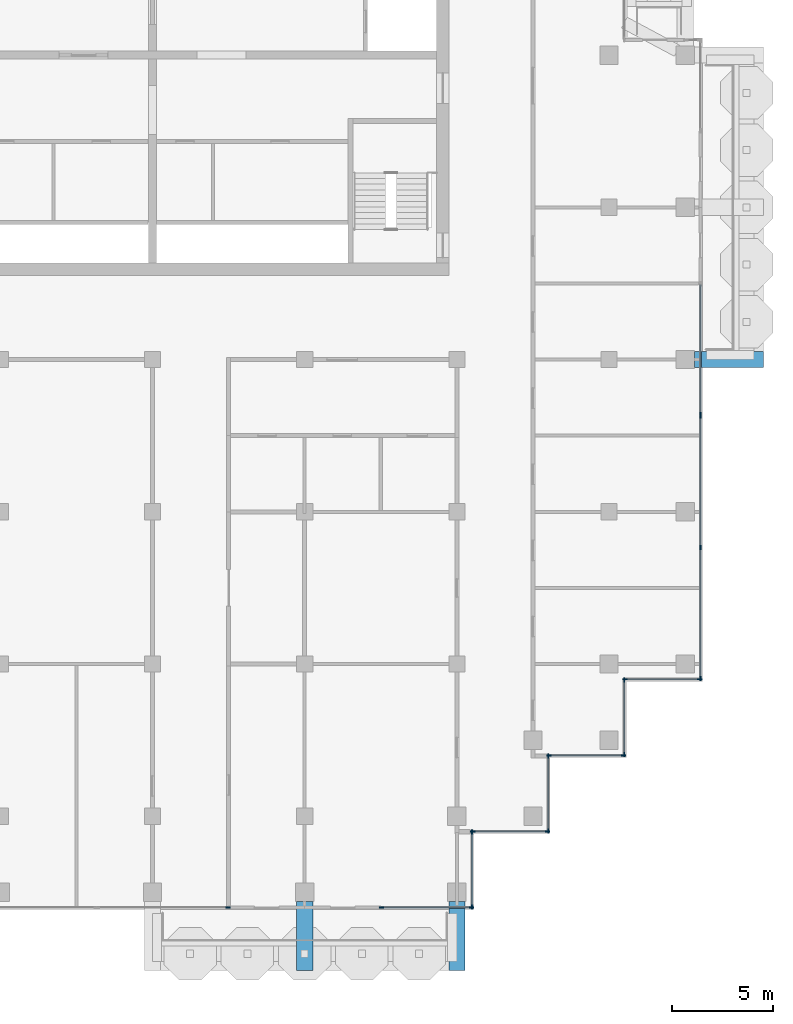
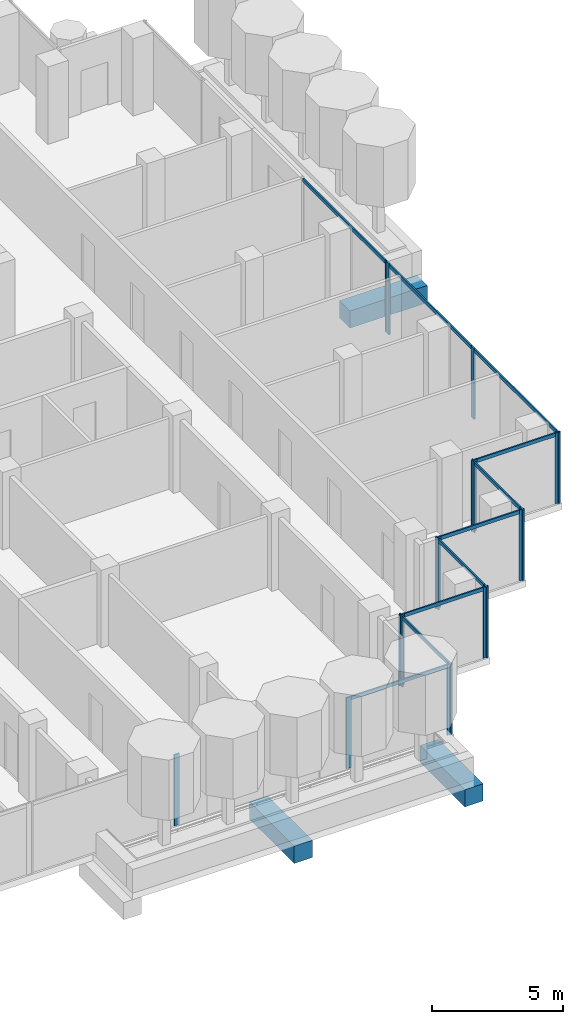
# One storey, part 4 of 19: 29 members, 3 beams, 10 elements without a shape of their own.
"""IFC4 building model written with IfcOpenShell, lengths in metres."""

import ifcopenshell
import ifcopenshell.guid

model = None  # the IFC model being written
_history = None  # IfcOwnerHistory: only IFC2X3 demands one
_inside = {}  # id of a spatial element -> (the spatial element, [elements in it])
_under = {}  # id of a project, library or spatial element -> (it, [spatial elements below it])
_declared = {}  # id of a project -> (the project, [libraries it declares])
_typed = {}  # id of a type object -> (the type object, [elements of that type])
_made_of = {}  # id of a material, layer set ... -> (it, [elements and type objects made of it])


def new_model(schema):
    """Start an empty IFC model of exactly this schema.

    Asked for "IFC4X3", IfcOpenShell would pick the latest addendum, in which some entities
    have other attributes; the version numbers below select the first issue.
    IFC2X3 requires an IfcOwnerHistory on every rooted entity: one is made here for all.
    """
    global model, _history
    if schema == "IFC4X3":
        model = ifcopenshell.file(schema_version=(4, 3, 0, 0))
    else:
        model = ifcopenshell.file(schema=schema)
    _inside.clear()
    _under.clear()
    _declared.clear()
    _typed.clear()
    _made_of.clear()
    _history = None
    if model.schema == "IFC2X3":
        org = make("IfcOrganization", Name="unknown")
        user = make(
            "IfcPersonAndOrganization",
            ThePerson=make("IfcPerson", FamilyName="unknown"),
            TheOrganization=org,
        )
        app = make(
            "IfcApplication",
            ApplicationDeveloper=org,
            Version="unknown",
            ApplicationFullName="unknown",
            ApplicationIdentifier="unknown",
        )
        _history = make(
            "IfcOwnerHistory",
            OwningUser=user,
            OwningApplication=app,
            ChangeAction="ADDED",
            CreationDate=0,
        )
    return model


def make(cls, **values):
    """One entity of the class cls with the attributes given. An attribute that is None is left unset."""
    return model.create_entity(
        cls, **{name: value for name, value in values.items() if value is not None}
    )


def rooted(cls, **values):
    """An entity with a GlobalId (a new one), such as an element, a storey or a relation."""
    return make(cls, GlobalId=ifcopenshell.guid.new(), OwnerHistory=_history, **values)


def si_unit(unit_type, name, prefix=None):
    """IfcSIUnit, for example si_unit("LENGTHUNIT", "METRE", prefix="MILLI")."""
    return make("IfcSIUnit", UnitType=unit_type, Prefix=prefix, Name=name)


def assignment(units):
    """IfcUnitAssignment: the units of a project."""
    return None if units is None else make("IfcUnitAssignment", Units=units)


def point(xyz):
    """IfcCartesianPoint."""
    return None if xyz is None else make("IfcCartesianPoint", Coordinates=xyz)


def direction(xyz):
    """IfcDirection."""
    return None if xyz is None else make("IfcDirection", DirectionRatios=xyz)


def frame(location, z_axis=None, x_axis=None):
    """IfcAxis2Placement3D, a coordinate frame: its origin and axes. An axis left out is left unset."""
    return make(
        "IfcAxis2Placement3D",
        Location=point(location),
        Axis=direction(z_axis),
        RefDirection=direction(x_axis),
    )


def frame_2d(location, x_axis=None):
    """IfcAxis2Placement2D, a coordinate frame in the plane: its origin and x axis."""
    return make(
        "IfcAxis2Placement2D", Location=point(location), RefDirection=direction(x_axis)
    )


def origin():
    """The frame at (0, 0, 0) with its axes left unset."""
    return frame((0.0, 0.0, 0.0))


def origin_2d():
    """The frame at (0, 0) in the plane with its x axis left unset."""
    return frame_2d((0.0, 0.0))


def place(relative_to, where):
    """IfcLocalPlacement: puts the frame where relative to a parent placement (None: the world)."""
    return make(
        "IfcLocalPlacement", PlacementRelTo=relative_to, RelativePlacement=where
    )


def context(
    kind, dimensions, precision=None, world=None, true_north=None, identifier=None
):
    """IfcGeometricRepresentationContext, for example the 3D "Model" context."""
    return make(
        "IfcGeometricRepresentationContext",
        ContextIdentifier=identifier,
        ContextType=kind,
        CoordinateSpaceDimension=dimensions,
        Precision=precision,
        WorldCoordinateSystem=world,
        TrueNorth=true_north,
    )


def subcontext(parent, identifier, kind, view, scale=None):
    """IfcGeometricRepresentationSubContext, for example "Body" below "Model"."""
    return make(
        "IfcGeometricRepresentationSubContext",
        ContextIdentifier=identifier,
        ContextType=kind,
        ParentContext=parent,
        TargetScale=scale,
        TargetView=view,
    )


def project(units=None, contexts=None):
    """IfcProject with its units and contexts."""
    return rooted(
        "IfcProject",
        Name="project",
        RepresentationContexts=contexts,
        UnitsInContext=assignment(units),
    )


def spatial(cls, under=None, at=None, **own):
    """A site, building, storey or space (cls), placed at a placement, below another one or the project."""
    s = rooted(cls, ObjectPlacement=at, **own)
    if under is not None:
        _under.setdefault(under.id(), (under, []))[1].append(s)
    return s


def profile(cls, at=None, kind="AREA", **sizes):
    """A parametric profile (cls). Its sizes go by their IFC names, for example OverallWidth=200.0."""
    return make(cls, ProfileType=kind, Position=at, **sizes)


def rectangle(**sizes):
    """IfcRectangleProfileDef."""
    return profile("IfcRectangleProfileDef", **sizes)


def extrude(swept, where, along, depth):
    """IfcExtrudedAreaSolid: the profile swept, set in the frame where, extruded along a direction by depth."""
    return make(
        "IfcExtrudedAreaSolid",
        SweptArea=swept,
        Position=where,
        ExtrudedDirection=direction(along),
        Depth=depth,
    )


def shape(context_of_items, identifier, shape_type, items):
    """IfcShapeRepresentation: the items that make up one representation, for example the "Body"."""
    return make(
        "IfcShapeRepresentation",
        ContextOfItems=context_of_items,
        RepresentationIdentifier=identifier,
        RepresentationType=shape_type,
        Items=items,
    )


def material(Name=None, Category=None):
    """IfcMaterial."""
    return make("IfcMaterial", Name=Name, Category=Category)


def material_profile(
    of_material, cross_section, Name=None, Category=None, Priority=None
):
    """IfcMaterialProfile: a cross section and its material."""
    return make(
        "IfcMaterialProfile",
        Name=Name,
        Material=of_material,
        Profile=cross_section,
        Priority=Priority,
        Category=Category,
    )


def profile_set(profiles, Name=None, composite=None):
    """IfcMaterialProfileSet."""
    return make(
        "IfcMaterialProfileSet",
        Name=Name,
        MaterialProfiles=profiles,
        CompositeProfile=composite,
    )


def made_of(thing, what):
    """Note that an element or type object is made of a material, layer set ...; save() writes the relation."""
    if what is not None:
        _made_of.setdefault(what.id(), (what, []))[1].append(thing)
    return thing


def type_object(cls, material=None, **own):
    """A type object (cls), such as IfcWallType, which elements share."""
    return made_of(rooted(cls, **own), material)


def element(
    cls,
    number,
    at=None,
    inside=None,
    cuts=None,
    type_object=None,
    material=None,
    context=None,
    identifier="Body",
    shape_type=None,
    held_by="IfcProductDefinitionShape",
    body=None,
    shapes=None,
    **own,
):
    """One element of the class cls, such as IfcWall. Its Tag is "e" and its number.

    at: its placement. inside: the storey or other place that contains it. cuts: it is an
    opening in that element (IfcRelVoidsElement). A single representation is given by context,
    identifier, shape_type and body (its items); several are given by shapes. held_by: the class
    of the entity that holds the representations. save() writes the other relations.
    """
    e = rooted(cls, Tag="e%d" % number, ObjectPlacement=at, **own)
    if body is not None:
        shapes = [shape(context, identifier, shape_type, body)]
    if shapes is not None:
        e.Representation = make(held_by, Representations=shapes)
    if inside is not None:
        _inside.setdefault(inside.id(), (inside, []))[1].append(e)
    if cuts is not None:
        rooted(
            "IfcRelVoidsElement", RelatingBuildingElement=cuts, RelatedOpeningElement=e
        )
    if type_object is not None:
        _typed.setdefault(type_object.id(), (type_object, []))[1].append(e)
    return made_of(e, material)


def aggregate(whole, parts):
    """IfcRelAggregates: a whole, such as a stair, and the parts it consists of."""
    return rooted("IfcRelAggregates", RelatingObject=whole, RelatedObjects=parts)


def save(model, path):
    """Write the relations noted so far, then the file.

    IfcRelAggregates (storeys below a building ...), IfcRelContainedInSpatialStructure (elements
    in a storey), IfcRelDefinesByType, IfcRelAssociatesMaterial and IfcRelDeclares: one each for
    every whole, place, type object, material and project.
    """
    for whole, parts in _under.values():
        aggregate(whole, parts)
    for where, things in _inside.values():
        rooted(
            "IfcRelContainedInSpatialStructure",
            RelatedElements=things,
            RelatingStructure=where,
        )
    for kind, things in _typed.values():
        rooted("IfcRelDefinesByType", RelatedObjects=things, RelatingType=kind)
    for what, things in _made_of.values():
        rooted("IfcRelAssociatesMaterial", RelatedObjects=things, RelatingMaterial=what)
    for by, libraries in _declared.values():
        rooted("IfcRelDeclares", RelatingContext=by, RelatedDefinitions=libraries)
    model.write(path)


model = new_model("IFC4")

# Units and contexts
model_context = context("Model", 3, precision=1e-05, world=origin(), true_north=direction((0.0, 1.0)))
body_context = subcontext(model_context, "Body", "Model", "MODEL_VIEW")
ifc_project = project(units=[si_unit("LENGTHUNIT", "METRE"), si_unit("AREAUNIT", "SQUARE_METRE"), si_unit("VOLUMEUNIT", "CUBIC_METRE"), si_unit("PLANEANGLEUNIT", "RADIAN"), si_unit("MASSUNIT", "GRAM", prefix="KILO")], contexts=[model_context])

# Site, building, storey
site_placement = place(None, origin())
site = spatial("IfcSite", under=ifc_project, at=site_placement, CompositionType="ELEMENT")
building_placement = place(site_placement, origin())
building = spatial("IfcBuilding", under=site, at=building_placement, Name="Pilkhan Gate Tower", CompositionType="ELEMENT")
storey_placement = place(building_placement, frame((0.0, 0.0, 239.10009765625)))
storey = spatial("IfcBuildingStorey", under=building, at=storey_placement, Name="L62", CompositionType="ELEMENT", Elevation=239.10009765625)

# Beams
ifc_material_1 = material(Name="Concrete C50/60", Category="concrete")
ifc_material_profile_1 = material_profile(ifc_material_1, rectangle(XDim=0.800048828125, YDim=0.800048828125, at=origin_2d()), Name="RC 800x800")
ifc_profile_set_1 = profile_set([ifc_material_profile_1], Name="Concrete C50/60")
beam_type = type_object("IfcBeamType", Name="Cantilever beam CB2 RC 800x800 C50/60", PredefinedType="BEAM", material=ifc_profile_set_1)
for number, where, z_axis, x_axis, name in (
    (1, (82.5, 40.800048828125, -0.7001953125), (0.0, -1.0, 0.0), (1.0, 0.0, 0.0), "Balcony beam S.2 L62"),
    (2, (90.0, 40.800048828125, -0.7001953125), (0.0, -1.0, 0.0), (1.0, 0.0, 0.0), "Balcony beam S.3 L62"),
    (3, (101.699951171875, 67.5, -0.7001953125), (1.0, 0.0, 0.0), (0.0, 1.0, 0.0), "Balcony beam E.1 L62"),
):
    element("IfcBeam", number, at=place(storey_placement, frame(where, z_axis=z_axis, x_axis=x_axis)), inside=storey, type_object=beam_type, Name=name, PredefinedType="BEAM", context=body_context, shape_type="SweptSolid", body=[
        extrude(rectangle(XDim=0.800048828125, YDim=0.800048828125, at=origin_2d()), origin(), (0.0, 0.0, 1.0), 3.400146484375),
    ])

# Curtain wall, members
ifc_material_2 = material(Name="Pale anodised aluminium, clear low-iron double glazing", Category="aluminium")
curtain_wall_type = type_object("IfcCurtainWallType", Name="Office unitised curtain wall CW-O2", PredefinedType="USERDEFINED", material=ifc_material_2)
curtain_wall_1_placement = place(storey_placement, origin())
curtain_wall_1 = element("IfcCurtainWall", 4, at=curtain_wall_1_placement, inside=storey, type_object=curtain_wall_type, Name="Office unitised curtain wall CW-O2 L62 E", ObjectType="UNITISED CURTAIN WALL", PredefinedType="USERDEFINED")
ifc_material_3 = material(Name="Pale anodised aluminium", Category="aluminium")
ifc_material_profile_2 = material_profile(ifc_material_3, rectangle(XDim=0.06494140625, YDim=0.22509765625, at=origin_2d()), Name="Mullion 225x65")
ifc_profile_set_2 = profile_set([ifc_material_profile_2], Name="Pale anodised aluminium")
member_type_1 = type_object("IfcMemberType", Name="Mullion CW-O2 225x65", PredefinedType="MULLION", material=ifc_profile_set_2)
member_1_placement = place(storey_placement, frame((102.0, 51.782470703125, 0.0), z_axis=(0.0, 0.0, 1.0), x_axis=(-1.0, 0.0, 0.0)))
member_1 = element("IfcMember", 5, at=member_1_placement, type_object=member_type_1, Name="CW-O2 mullion 1", PredefinedType="MULLION", context=body_context, shape_type="SweptSolid", body=[
    extrude(rectangle(XDim=0.06494140625, YDim=0.22509765625, at=origin_2d()), origin(), (0.0, 0.0, 1.0), 3.2998046875),
])
member_2_placement = place(storey_placement, frame((102.0, 58.25, 0.0), z_axis=(0.0, 0.0, 1.0), x_axis=(-1.0, 0.0, 0.0)))
member_2 = element("IfcMember", 6, at=member_2_placement, type_object=member_type_1, Name="CW-O2 mullion 2", PredefinedType="MULLION", context=body_context, shape_type="SweptSolid", body=[
    extrude(rectangle(XDim=0.06494140625, YDim=0.22509765625, at=origin_2d()), origin(), (0.0, 0.0, 1.0), 3.2998046875),
])
member_3_placement = place(storey_placement, frame((102.0, 64.717529296875, 0.0), z_axis=(0.0, 0.0, 1.0), x_axis=(-1.0, 0.0, 0.0)))
member_3 = element("IfcMember", 7, at=member_3_placement, type_object=member_type_1, Name="CW-O2 mullion 3", PredefinedType="MULLION", context=body_context, shape_type="SweptSolid", body=[
    extrude(rectangle(XDim=0.06494140625, YDim=0.22509765625, at=origin_2d()), origin(), (0.0, 0.0, 1.0), 3.2998046875),
])

# Curtain wall, member
curtain_wall_2_placement = place(storey_placement, origin())
curtain_wall_2 = element("IfcCurtainWall", 8, at=curtain_wall_2_placement, inside=storey, type_object=curtain_wall_type, Name="Office unitised curtain wall CW-O2 L62 E", ObjectType="UNITISED CURTAIN WALL", PredefinedType="USERDEFINED")
member_4_placement = place(storey_placement, frame((102.0, 64.782470703125, 0.0), z_axis=(0.0, 0.0, 1.0), x_axis=(-1.0, 0.0, 0.0)))
member_4 = element("IfcMember", 9, at=member_4_placement, type_object=member_type_1, Name="CW-O2 mullion 1", PredefinedType="MULLION", context=body_context, shape_type="SweptSolid", body=[
    extrude(rectangle(XDim=0.06494140625, YDim=0.22509765625, at=origin_2d()), origin(), (0.0, 0.0, 1.0), 3.2998046875),
])

curtain_wall_3_placement = place(storey_placement, origin())
curtain_wall_3 = element("IfcCurtainWall", 10, at=curtain_wall_3_placement, inside=storey, type_object=curtain_wall_type, Name="Office unitised curtain wall CW-O2 L62 S", ObjectType="UNITISED CURTAIN WALL", PredefinedType="USERDEFINED")
member_5_placement = place(storey_placement, frame((78.717529296875, 40.5, 0.0), z_axis=(0.0, 0.0, 1.0), x_axis=(0.0, 1.0, 0.0)))
member_5 = element("IfcMember", 11, at=member_5_placement, type_object=member_type_1, Name="CW-O2 mullion 2", PredefinedType="MULLION", context=body_context, shape_type="SweptSolid", body=[
    extrude(rectangle(XDim=0.06494140625, YDim=0.22509765625, at=origin_2d()), origin(), (0.0, 0.0, 1.0), 3.2998046875),
])
aggregate(curtain_wall_3, [member_5])

# Curtain wall, members
curtain_wall_4_placement = place(storey_placement, origin())
curtain_wall_4 = element("IfcCurtainWall", 12, at=curtain_wall_4_placement, inside=storey, type_object=curtain_wall_type, Name="Office unitised curtain wall CW-O2 L62 S", ObjectType="UNITISED CURTAIN WALL", PredefinedType="USERDEFINED")
member_6_placement = place(storey_placement, frame((86.282470703125, 40.5, 0.0), z_axis=(0.0, 0.0, 1.0), x_axis=(0.0, 1.0, 0.0)))
member_6 = element("IfcMember", 13, at=member_6_placement, type_object=member_type_1, Name="CW-O2 mullion 1", PredefinedType="MULLION", context=body_context, shape_type="SweptSolid", body=[
    extrude(rectangle(XDim=0.06494140625, YDim=0.22509765625, at=origin_2d()), origin(), (0.0, 0.0, 1.0), 3.2998046875),
])
member_7_placement = place(storey_placement, frame((90.717529296875, 40.5, 0.0), z_axis=(0.0, 0.0, 1.0), x_axis=(0.0, 1.0, 0.0)))
member_7 = element("IfcMember", 14, at=member_7_placement, type_object=member_type_1, Name="CW-O2 mullion 2", PredefinedType="MULLION", context=body_context, shape_type="SweptSolid", body=[
    extrude(rectangle(XDim=0.06494140625, YDim=0.22509765625, at=origin_2d()), origin(), (0.0, 0.0, 1.0), 3.2998046875),
])

curtain_wall_5_placement = place(storey_placement, origin())
curtain_wall_5 = element("IfcCurtainWall", 15, at=curtain_wall_5_placement, inside=storey, type_object=curtain_wall_type, Name="Office unitised curtain wall CW-O2 L62 E", ObjectType="UNITISED CURTAIN WALL", PredefinedType="USERDEFINED")
member_8_placement = place(storey_placement, frame((90.75, 40.532470703125, 0.0), z_axis=(0.0, 0.0, 1.0), x_axis=(-1.0, 0.0, 0.0)))
member_8 = element("IfcMember", 16, at=member_8_placement, type_object=member_type_1, Name="CW-O2 mullion 1", PredefinedType="MULLION", context=body_context, shape_type="SweptSolid", body=[
    extrude(rectangle(XDim=0.06494140625, YDim=0.22509765625, at=origin_2d()), origin(), (0.0, 0.0, 1.0), 3.2998046875),
])
member_9_placement = place(storey_placement, frame((90.75, 44.217529296875, 0.0), z_axis=(0.0, 0.0, 1.0), x_axis=(-1.0, 0.0, 0.0)))
member_9 = element("IfcMember", 17, at=member_9_placement, type_object=member_type_1, Name="CW-O2 mullion 2", PredefinedType="MULLION", context=body_context, shape_type="SweptSolid", body=[
    extrude(rectangle(XDim=0.06494140625, YDim=0.22509765625, at=origin_2d()), origin(), (0.0, 0.0, 1.0), 3.2998046875),
])

curtain_wall_6_placement = place(storey_placement, origin())
curtain_wall_6 = element("IfcCurtainWall", 18, at=curtain_wall_6_placement, inside=storey, type_object=curtain_wall_type, Name="Office unitised curtain wall CW-O2 L62 S", ObjectType="UNITISED CURTAIN WALL", PredefinedType="USERDEFINED")
member_10_placement = place(storey_placement, frame((90.782470703125, 44.25, 0.0), z_axis=(0.0, 0.0, 1.0), x_axis=(0.0, 1.0, 0.0)))
member_10 = element("IfcMember", 19, at=member_10_placement, type_object=member_type_1, Name="CW-O2 mullion 1", PredefinedType="MULLION", context=body_context, shape_type="SweptSolid", body=[
    extrude(rectangle(XDim=0.06494140625, YDim=0.22509765625, at=origin_2d()), origin(), (0.0, 0.0, 1.0), 3.2998046875),
])
member_11_placement = place(storey_placement, frame((94.467529296875, 44.25, 0.0), z_axis=(0.0, 0.0, 1.0), x_axis=(0.0, 1.0, 0.0)))
member_11 = element("IfcMember", 20, at=member_11_placement, type_object=member_type_1, Name="CW-O2 mullion 2", PredefinedType="MULLION", context=body_context, shape_type="SweptSolid", body=[
    extrude(rectangle(XDim=0.06494140625, YDim=0.22509765625, at=origin_2d()), origin(), (0.0, 0.0, 1.0), 3.2998046875),
])

curtain_wall_7_placement = place(storey_placement, origin())
curtain_wall_7 = element("IfcCurtainWall", 21, at=curtain_wall_7_placement, inside=storey, type_object=curtain_wall_type, Name="Office unitised curtain wall CW-O2 L62 E", ObjectType="UNITISED CURTAIN WALL", PredefinedType="USERDEFINED")
member_12_placement = place(storey_placement, frame((94.5, 44.282470703125, 0.0), z_axis=(0.0, 0.0, 1.0), x_axis=(-1.0, 0.0, 0.0)))
member_12 = element("IfcMember", 22, at=member_12_placement, type_object=member_type_1, Name="CW-O2 mullion 1", PredefinedType="MULLION", context=body_context, shape_type="SweptSolid", body=[
    extrude(rectangle(XDim=0.06494140625, YDim=0.22509765625, at=origin_2d()), origin(), (0.0, 0.0, 1.0), 3.2998046875),
])
member_13_placement = place(storey_placement, frame((94.5, 47.967529296875, 0.0), z_axis=(0.0, 0.0, 1.0), x_axis=(-1.0, 0.0, 0.0)))
member_13 = element("IfcMember", 23, at=member_13_placement, type_object=member_type_1, Name="CW-O2 mullion 2", PredefinedType="MULLION", context=body_context, shape_type="SweptSolid", body=[
    extrude(rectangle(XDim=0.06494140625, YDim=0.22509765625, at=origin_2d()), origin(), (0.0, 0.0, 1.0), 3.2998046875),
])

curtain_wall_8_placement = place(storey_placement, origin())
curtain_wall_8 = element("IfcCurtainWall", 24, at=curtain_wall_8_placement, inside=storey, type_object=curtain_wall_type, Name="Office unitised curtain wall CW-O2 L62 S", ObjectType="UNITISED CURTAIN WALL", PredefinedType="USERDEFINED")
member_14_placement = place(storey_placement, frame((94.532470703125, 48.0, 0.0), z_axis=(0.0, 0.0, 1.0), x_axis=(0.0, 1.0, 0.0)))
member_14 = element("IfcMember", 25, at=member_14_placement, type_object=member_type_1, Name="CW-O2 mullion 1", PredefinedType="MULLION", context=body_context, shape_type="SweptSolid", body=[
    extrude(rectangle(XDim=0.06494140625, YDim=0.22509765625, at=origin_2d()), origin(), (0.0, 0.0, 1.0), 3.2998046875),
])
member_15_placement = place(storey_placement, frame((98.217529296875, 48.0, 0.0), z_axis=(0.0, 0.0, 1.0), x_axis=(0.0, 1.0, 0.0)))
member_15 = element("IfcMember", 26, at=member_15_placement, type_object=member_type_1, Name="CW-O2 mullion 2", PredefinedType="MULLION", context=body_context, shape_type="SweptSolid", body=[
    extrude(rectangle(XDim=0.06494140625, YDim=0.22509765625, at=origin_2d()), origin(), (0.0, 0.0, 1.0), 3.2998046875),
])

curtain_wall_9_placement = place(storey_placement, origin())
curtain_wall_9 = element("IfcCurtainWall", 27, at=curtain_wall_9_placement, inside=storey, type_object=curtain_wall_type, Name="Office unitised curtain wall CW-O2 L62 E", ObjectType="UNITISED CURTAIN WALL", PredefinedType="USERDEFINED")
member_16_placement = place(storey_placement, frame((98.25, 48.032470703125, 0.0), z_axis=(0.0, 0.0, 1.0), x_axis=(-1.0, 0.0, 0.0)))
member_16 = element("IfcMember", 28, at=member_16_placement, type_object=member_type_1, Name="CW-O2 mullion 1", PredefinedType="MULLION", context=body_context, shape_type="SweptSolid", body=[
    extrude(rectangle(XDim=0.06494140625, YDim=0.22509765625, at=origin_2d()), origin(), (0.0, 0.0, 1.0), 3.2998046875),
])
member_17_placement = place(storey_placement, frame((98.25, 51.717529296875, 0.0), z_axis=(0.0, 0.0, 1.0), x_axis=(-1.0, 0.0, 0.0)))
member_17 = element("IfcMember", 29, at=member_17_placement, type_object=member_type_1, Name="CW-O2 mullion 2", PredefinedType="MULLION", context=body_context, shape_type="SweptSolid", body=[
    extrude(rectangle(XDim=0.06494140625, YDim=0.22509765625, at=origin_2d()), origin(), (0.0, 0.0, 1.0), 3.2998046875),
])

curtain_wall_10_placement = place(storey_placement, origin())
curtain_wall_10 = element("IfcCurtainWall", 30, at=curtain_wall_10_placement, inside=storey, type_object=curtain_wall_type, Name="Office unitised curtain wall CW-O2 L62 S", ObjectType="UNITISED CURTAIN WALL", PredefinedType="USERDEFINED")
member_18_placement = place(storey_placement, frame((98.282470703125, 51.75, 0.0), z_axis=(0.0, 0.0, 1.0), x_axis=(0.0, 1.0, 0.0)))
member_18 = element("IfcMember", 31, at=member_18_placement, type_object=member_type_1, Name="CW-O2 mullion 1", PredefinedType="MULLION", context=body_context, shape_type="SweptSolid", body=[
    extrude(rectangle(XDim=0.06494140625, YDim=0.22509765625, at=origin_2d()), origin(), (0.0, 0.0, 1.0), 3.2998046875),
])
member_19_placement = place(storey_placement, frame((101.967529296875, 51.75, 0.0), z_axis=(0.0, 0.0, 1.0), x_axis=(0.0, 1.0, 0.0)))
member_19 = element("IfcMember", 32, at=member_19_placement, type_object=member_type_1, Name="CW-O2 mullion 2", PredefinedType="MULLION", context=body_context, shape_type="SweptSolid", body=[
    extrude(rectangle(XDim=0.06494140625, YDim=0.22509765625, at=origin_2d()), origin(), (0.0, 0.0, 1.0), 3.2998046875),
])

# Member
ifc_material_profile_3 = material_profile(ifc_material_3, rectangle(XDim=0.06494140625, YDim=0.1650390625, at=origin_2d()), Name="Transom 165x65")
ifc_profile_set_3 = profile_set([ifc_material_profile_3], Name="Pale anodised aluminium")
member_type_2 = type_object("IfcMemberType", Name="Transom CW-O2 165x65", PredefinedType="USERDEFINED", material=ifc_profile_set_3)
member_20_placement = place(storey_placement, frame((102.0, 51.81494140625, 3.21728515625), z_axis=(0.0, 1.0, 0.0), x_axis=(-1.0, 0.0, 0.0)))
member_20 = element("IfcMember", 33, at=member_20_placement, type_object=member_type_2, Name="CW-O2 transom 1", ObjectType="TRANSOM", PredefinedType="USERDEFINED", context=body_context, shape_type="SweptSolid", body=[
    extrude(rectangle(XDim=0.06494140625, YDim=0.1650390625, at=origin_2d()), origin(), (0.0, 0.0, 1.0), 6.402587890625),
])

member_21_placement = place(storey_placement, frame((102.0, 58.282470703125, 3.21728515625), z_axis=(0.0, 1.0, 0.0), x_axis=(-1.0, 0.0, 0.0)))
member_21 = element("IfcMember", 34, at=member_21_placement, type_object=member_type_2, Name="CW-O2 transom 2", ObjectType="TRANSOM", PredefinedType="USERDEFINED", context=body_context, shape_type="SweptSolid", body=[
    extrude(rectangle(XDim=0.06494140625, YDim=0.1650390625, at=origin_2d()), origin(), (0.0, 0.0, 1.0), 6.402587890625),
])

aggregate(curtain_wall_1, [member_1, member_2, member_3, member_20, member_21])

member_22_placement = place(storey_placement, frame((102.0, 64.81494140625, 3.21728515625), z_axis=(0.0, 1.0, 0.0), x_axis=(-1.0, 0.0, 0.0)))
member_22 = element("IfcMember", 35, at=member_22_placement, type_object=member_type_2, Name="CW-O2 transom 1", ObjectType="TRANSOM", PredefinedType="USERDEFINED", context=body_context, shape_type="SweptSolid", body=[
    extrude(rectangle(XDim=0.06494140625, YDim=0.1650390625, at=origin_2d()), origin(), (0.0, 0.0, 1.0), 6.3701171875),
])

aggregate(curtain_wall_2, [member_4, member_22])

member_23_placement = place(storey_placement, frame((86.31494140625, 40.5, 3.21728515625), z_axis=(1.0, 0.0, 0.0), x_axis=(0.0, 1.0, 0.0)))
member_23 = element("IfcMember", 36, at=member_23_placement, type_object=member_type_2, Name="CW-O2 transom 1", ObjectType="TRANSOM", PredefinedType="USERDEFINED", context=body_context, shape_type="SweptSolid", body=[
    extrude(rectangle(XDim=0.06494140625, YDim=0.1650390625, at=origin_2d()), origin(), (0.0, 0.0, 1.0), 4.3701171875),
])

aggregate(curtain_wall_4, [member_6, member_7, member_23])

member_24_placement = place(storey_placement, frame((90.75, 40.56494140625, 3.21728515625), z_axis=(0.0, 1.0, 0.0), x_axis=(-1.0, 0.0, 0.0)))
member_24 = element("IfcMember", 37, at=member_24_placement, type_object=member_type_2, Name="CW-O2 transom 1", ObjectType="TRANSOM", PredefinedType="USERDEFINED", context=body_context, shape_type="SweptSolid", body=[
    extrude(rectangle(XDim=0.06494140625, YDim=0.1650390625, at=origin_2d()), origin(), (0.0, 0.0, 1.0), 3.6201171875),
])

aggregate(curtain_wall_5, [member_8, member_9, member_24])

member_25_placement = place(storey_placement, frame((90.81494140625, 44.25, 3.21728515625), z_axis=(1.0, 0.0, 0.0), x_axis=(0.0, 1.0, 0.0)))
member_25 = element("IfcMember", 38, at=member_25_placement, type_object=member_type_2, Name="CW-O2 transom 1", ObjectType="TRANSOM", PredefinedType="USERDEFINED", context=body_context, shape_type="SweptSolid", body=[
    extrude(rectangle(XDim=0.06494140625, YDim=0.1650390625, at=origin_2d()), origin(), (0.0, 0.0, 1.0), 3.6201171875),
])

aggregate(curtain_wall_6, [member_10, member_11, member_25])

member_26_placement = place(storey_placement, frame((94.5, 44.31494140625, 3.21728515625), z_axis=(0.0, 1.0, 0.0), x_axis=(-1.0, 0.0, 0.0)))
member_26 = element("IfcMember", 39, at=member_26_placement, type_object=member_type_2, Name="CW-O2 transom 1", ObjectType="TRANSOM", PredefinedType="USERDEFINED", context=body_context, shape_type="SweptSolid", body=[
    extrude(rectangle(XDim=0.06494140625, YDim=0.1650390625, at=origin_2d()), origin(), (0.0, 0.0, 1.0), 3.6201171875),
])

aggregate(curtain_wall_7, [member_12, member_13, member_26])

member_27_placement = place(storey_placement, frame((94.56494140625, 48.0, 3.21728515625), z_axis=(1.0, 0.0, 0.0), x_axis=(0.0, 1.0, 0.0)))
member_27 = element("IfcMember", 40, at=member_27_placement, type_object=member_type_2, Name="CW-O2 transom 1", ObjectType="TRANSOM", PredefinedType="USERDEFINED", context=body_context, shape_type="SweptSolid", body=[
    extrude(rectangle(XDim=0.06494140625, YDim=0.1650390625, at=origin_2d()), origin(), (0.0, 0.0, 1.0), 3.6201171875),
])

aggregate(curtain_wall_8, [member_14, member_15, member_27])

member_28_placement = place(storey_placement, frame((98.25, 48.06494140625, 3.21728515625), z_axis=(0.0, 1.0, 0.0), x_axis=(-1.0, 0.0, 0.0)))
member_28 = element("IfcMember", 41, at=member_28_placement, type_object=member_type_2, Name="CW-O2 transom 1", ObjectType="TRANSOM", PredefinedType="USERDEFINED", context=body_context, shape_type="SweptSolid", body=[
    extrude(rectangle(XDim=0.06494140625, YDim=0.1650390625, at=origin_2d()), origin(), (0.0, 0.0, 1.0), 3.6201171875),
])

aggregate(curtain_wall_9, [member_16, member_17, member_28])

member_29_placement = place(storey_placement, frame((98.31494140625, 51.75, 3.21728515625), z_axis=(1.0, 0.0, 0.0), x_axis=(0.0, 1.0, 0.0)))
member_29 = element("IfcMember", 42, at=member_29_placement, type_object=member_type_2, Name="CW-O2 transom 1", ObjectType="TRANSOM", PredefinedType="USERDEFINED", context=body_context, shape_type="SweptSolid", body=[
    extrude(rectangle(XDim=0.06494140625, YDim=0.1650390625, at=origin_2d()), origin(), (0.0, 0.0, 1.0), 3.6201171875),
])

aggregate(curtain_wall_10, [member_18, member_19, member_29])

save(model, "model.ifc")
